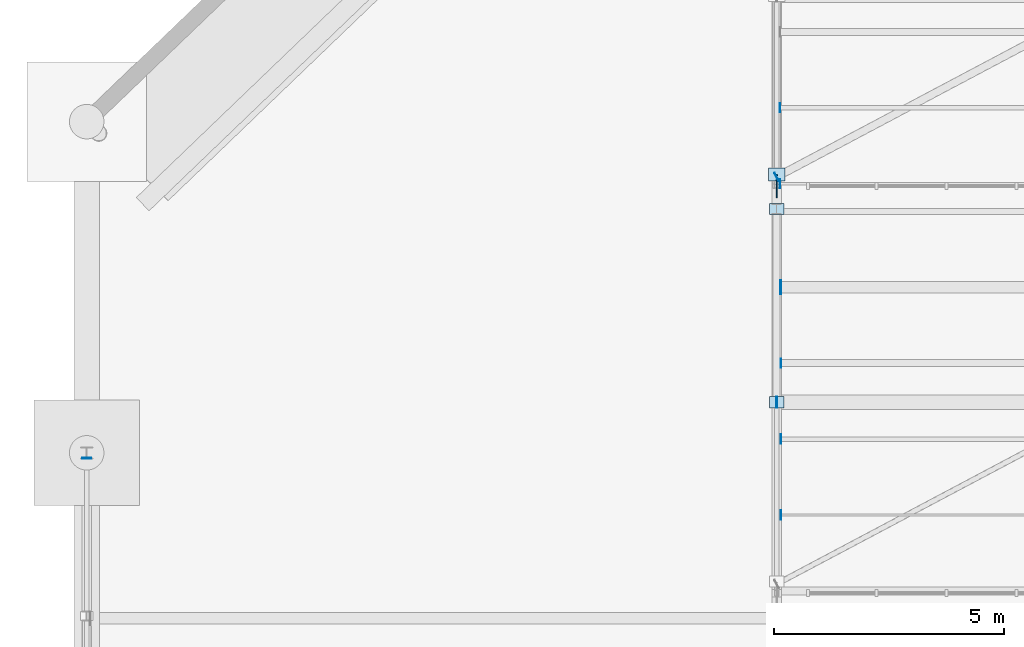
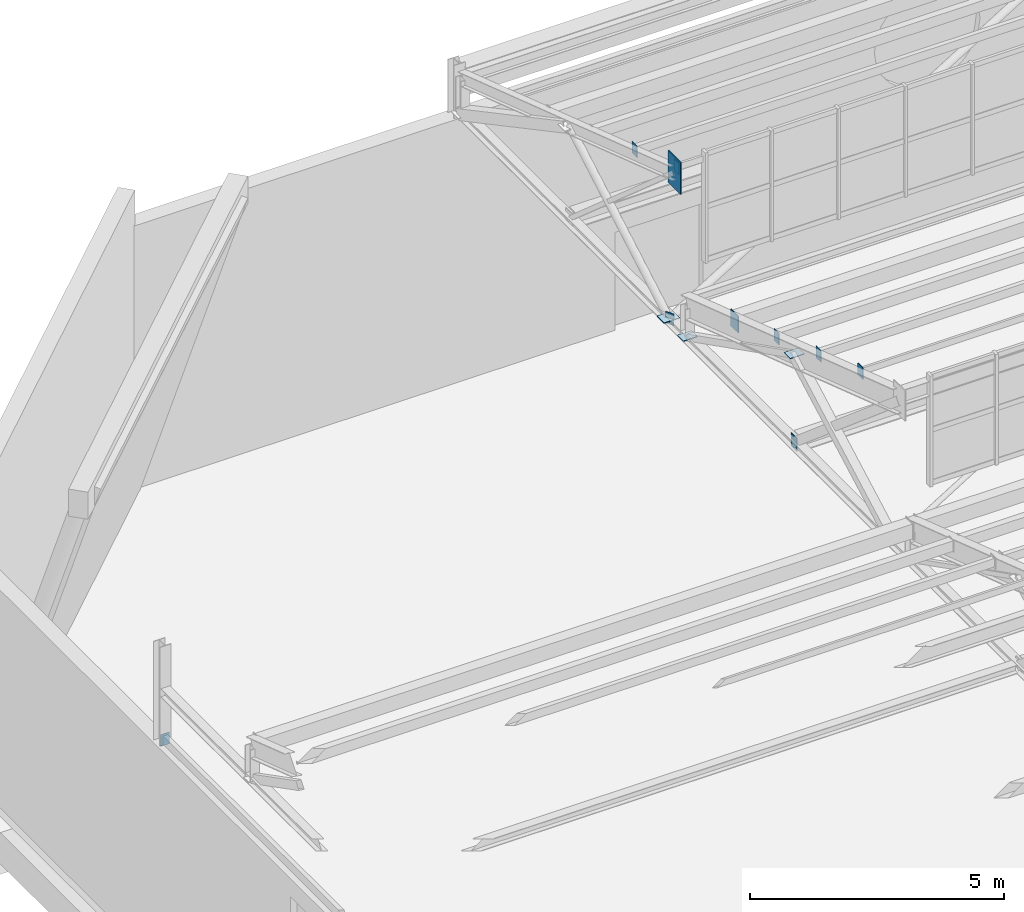
# One storey, part 235 of 285: 13 plates.
"""IFC4 building model written with IfcOpenShell, lengths in metres."""

import ifcopenshell
import ifcopenshell.guid

model = None  # the IFC model being written
_history = None  # IfcOwnerHistory: only IFC2X3 demands one
_inside = {}  # id of a spatial element -> (the spatial element, [elements in it])
_under = {}  # id of a project, library or spatial element -> (it, [spatial elements below it])
_declared = {}  # id of a project -> (the project, [libraries it declares])
_typed = {}  # id of a type object -> (the type object, [elements of that type])
_made_of = {}  # id of a material, layer set ... -> (it, [elements and type objects made of it])


def new_model(schema):
    """Start an empty IFC model of exactly this schema.

    Asked for "IFC4X3", IfcOpenShell would pick the latest addendum, in which some entities
    have other attributes; the version numbers below select the first issue.
    IFC2X3 requires an IfcOwnerHistory on every rooted entity: one is made here for all.
    """
    global model, _history
    if schema == "IFC4X3":
        model = ifcopenshell.file(schema_version=(4, 3, 0, 0))
    else:
        model = ifcopenshell.file(schema=schema)
    _inside.clear()
    _under.clear()
    _declared.clear()
    _typed.clear()
    _made_of.clear()
    _history = None
    if model.schema == "IFC2X3":
        org = make("IfcOrganization", Name="unknown")
        user = make(
            "IfcPersonAndOrganization",
            ThePerson=make("IfcPerson", FamilyName="unknown"),
            TheOrganization=org,
        )
        app = make(
            "IfcApplication",
            ApplicationDeveloper=org,
            Version="unknown",
            ApplicationFullName="unknown",
            ApplicationIdentifier="unknown",
        )
        _history = make(
            "IfcOwnerHistory",
            OwningUser=user,
            OwningApplication=app,
            ChangeAction="ADDED",
            CreationDate=0,
        )
    return model


def make(cls, **values):
    """One entity of the class cls with the attributes given. An attribute that is None is left unset."""
    return model.create_entity(
        cls, **{name: value for name, value in values.items() if value is not None}
    )


def rooted(cls, **values):
    """An entity with a GlobalId (a new one), such as an element, a storey or a relation."""
    return make(cls, GlobalId=ifcopenshell.guid.new(), OwnerHistory=_history, **values)


def si_unit(unit_type, name, prefix=None):
    """IfcSIUnit, for example si_unit("LENGTHUNIT", "METRE", prefix="MILLI")."""
    return make("IfcSIUnit", UnitType=unit_type, Prefix=prefix, Name=name)


def assignment(units):
    """IfcUnitAssignment: the units of a project."""
    return None if units is None else make("IfcUnitAssignment", Units=units)


def point(xyz):
    """IfcCartesianPoint."""
    return None if xyz is None else make("IfcCartesianPoint", Coordinates=xyz)


def direction(xyz):
    """IfcDirection."""
    return None if xyz is None else make("IfcDirection", DirectionRatios=xyz)


def frame(location, z_axis=None, x_axis=None):
    """IfcAxis2Placement3D, a coordinate frame: its origin and axes. An axis left out is left unset."""
    return make(
        "IfcAxis2Placement3D",
        Location=point(location),
        Axis=direction(z_axis),
        RefDirection=direction(x_axis),
    )


def frame_2d(location, x_axis=None):
    """IfcAxis2Placement2D, a coordinate frame in the plane: its origin and x axis."""
    return make(
        "IfcAxis2Placement2D", Location=point(location), RefDirection=direction(x_axis)
    )


def origin():
    """The frame at (0, 0, 0) with its axes left unset."""
    return frame((0.0, 0.0, 0.0))


def origin_2d():
    """The frame at (0, 0) in the plane with its x axis left unset."""
    return frame_2d((0.0, 0.0))


def place(relative_to, where):
    """IfcLocalPlacement: puts the frame where relative to a parent placement (None: the world)."""
    return make(
        "IfcLocalPlacement", PlacementRelTo=relative_to, RelativePlacement=where
    )


def context(
    kind, dimensions, precision=None, world=None, true_north=None, identifier=None
):
    """IfcGeometricRepresentationContext, for example the 3D "Model" context."""
    return make(
        "IfcGeometricRepresentationContext",
        ContextIdentifier=identifier,
        ContextType=kind,
        CoordinateSpaceDimension=dimensions,
        Precision=precision,
        WorldCoordinateSystem=world,
        TrueNorth=true_north,
    )


def subcontext(parent, identifier, kind, view, scale=None):
    """IfcGeometricRepresentationSubContext, for example "Body" below "Model"."""
    return make(
        "IfcGeometricRepresentationSubContext",
        ContextIdentifier=identifier,
        ContextType=kind,
        ParentContext=parent,
        TargetScale=scale,
        TargetView=view,
    )


def project(units=None, contexts=None):
    """IfcProject with its units and contexts."""
    return rooted(
        "IfcProject",
        Name="project",
        RepresentationContexts=contexts,
        UnitsInContext=assignment(units),
    )


def spatial(cls, under=None, at=None, **own):
    """A site, building, storey or space (cls), placed at a placement, below another one or the project."""
    s = rooted(cls, ObjectPlacement=at, **own)
    if under is not None:
        _under.setdefault(under.id(), (under, []))[1].append(s)
    return s


def profile(cls, at=None, kind="AREA", **sizes):
    """A parametric profile (cls). Its sizes go by their IFC names, for example OverallWidth=200.0."""
    return make(cls, ProfileType=kind, Position=at, **sizes)


def rectangle(**sizes):
    """IfcRectangleProfileDef."""
    return profile("IfcRectangleProfileDef", **sizes)


def extrude(swept, where, along, depth):
    """IfcExtrudedAreaSolid: the profile swept, set in the frame where, extruded along a direction by depth."""
    return make(
        "IfcExtrudedAreaSolid",
        SweptArea=swept,
        Position=where,
        ExtrudedDirection=direction(along),
        Depth=depth,
    )


def shape(context_of_items, identifier, shape_type, items):
    """IfcShapeRepresentation: the items that make up one representation, for example the "Body"."""
    return make(
        "IfcShapeRepresentation",
        ContextOfItems=context_of_items,
        RepresentationIdentifier=identifier,
        RepresentationType=shape_type,
        Items=items,
    )


def material(Name=None, Category=None):
    """IfcMaterial."""
    return make("IfcMaterial", Name=Name, Category=Category)


def layer(
    of_material, thickness, ventilated=None, Name=None, Category=None, Priority=None
):
    """IfcMaterialLayer: one layer of a wall or slab, of a material (None: an air gap)."""
    return make(
        "IfcMaterialLayer",
        Material=of_material,
        LayerThickness=thickness,
        IsVentilated=ventilated,
        Name=Name,
        Category=Category,
        Priority=Priority,
    )


def layer_set(layers, Name=None):
    """IfcMaterialLayerSet."""
    return make("IfcMaterialLayerSet", MaterialLayers=layers, LayerSetName=Name)


def made_of(thing, what):
    """Note that an element or type object is made of a material, layer set ...; save() writes the relation."""
    if what is not None:
        _made_of.setdefault(what.id(), (what, []))[1].append(thing)
    return thing


def type_object(cls, material=None, **own):
    """A type object (cls), such as IfcWallType, which elements share."""
    return made_of(rooted(cls, **own), material)


def element(
    cls,
    number,
    at=None,
    inside=None,
    cuts=None,
    type_object=None,
    material=None,
    context=None,
    identifier="Body",
    shape_type=None,
    held_by="IfcProductDefinitionShape",
    body=None,
    shapes=None,
    **own,
):
    """One element of the class cls, such as IfcWall. Its Tag is "e" and its number.

    at: its placement. inside: the storey or other place that contains it. cuts: it is an
    opening in that element (IfcRelVoidsElement). A single representation is given by context,
    identifier, shape_type and body (its items); several are given by shapes. held_by: the class
    of the entity that holds the representations. save() writes the other relations.
    """
    e = rooted(cls, Tag="e%d" % number, ObjectPlacement=at, **own)
    if body is not None:
        shapes = [shape(context, identifier, shape_type, body)]
    if shapes is not None:
        e.Representation = make(held_by, Representations=shapes)
    if inside is not None:
        _inside.setdefault(inside.id(), (inside, []))[1].append(e)
    if cuts is not None:
        rooted(
            "IfcRelVoidsElement", RelatingBuildingElement=cuts, RelatedOpeningElement=e
        )
    if type_object is not None:
        _typed.setdefault(type_object.id(), (type_object, []))[1].append(e)
    return made_of(e, material)


def aggregate(whole, parts):
    """IfcRelAggregates: a whole, such as a stair, and the parts it consists of."""
    return rooted("IfcRelAggregates", RelatingObject=whole, RelatedObjects=parts)


def save(model, path):
    """Write the relations noted so far, then the file.

    IfcRelAggregates (storeys below a building ...), IfcRelContainedInSpatialStructure (elements
    in a storey), IfcRelDefinesByType, IfcRelAssociatesMaterial and IfcRelDeclares: one each for
    every whole, place, type object, material and project.
    """
    for whole, parts in _under.values():
        aggregate(whole, parts)
    for where, things in _inside.values():
        rooted(
            "IfcRelContainedInSpatialStructure",
            RelatedElements=things,
            RelatingStructure=where,
        )
    for kind, things in _typed.values():
        rooted("IfcRelDefinesByType", RelatedObjects=things, RelatingType=kind)
    for what, things in _made_of.values():
        rooted("IfcRelAssociatesMaterial", RelatedObjects=things, RelatingMaterial=what)
    for by, libraries in _declared.values():
        rooted("IfcRelDeclares", RelatingContext=by, RelatedDefinitions=libraries)
    model.write(path)


model = new_model("IFC4")

# Units and contexts
model_context = context("Model", 3, precision=1e-05, world=origin(), true_north=direction((0.0, 1.0)))
body_context = subcontext(model_context, "Body", "Model", "MODEL_VIEW")
ifc_project = project(units=[si_unit("LENGTHUNIT", "METRE"), si_unit("AREAUNIT", "SQUARE_METRE"), si_unit("VOLUMEUNIT", "CUBIC_METRE"), si_unit("PLANEANGLEUNIT", "RADIAN"), si_unit("MASSUNIT", "GRAM", prefix="KILO")], contexts=[model_context])

# Site, building, storey
site_placement = place(None, origin())
site = spatial("IfcSite", under=ifc_project, at=site_placement, CompositionType="ELEMENT")
building_placement = place(site_placement, origin())
building = spatial("IfcBuilding", under=site, at=building_placement, Name="Solanera Park Tramway Depot", CompositionType="ELEMENT")
storey_placement = place(building_placement, origin())
storey = spatial("IfcBuildingStorey", under=building, at=storey_placement, Name="L00", CompositionType="ELEMENT", Elevation=0.0)

# Plates
ifc_material_1 = material(Name="Steel AS/NZS 3679.1 Grade 350", Category="steel")
ifc_layer_1 = layer(ifc_material_1, 0.013916015625)
ifc_layer_set_1 = layer_set([ifc_layer_1], Name="Steel AS/NZS 3679.1 Grade 350")
plate_type_1 = type_object("IfcPlateType", Name="Hollow End Cap and Base Plate 280x200x14", PredefinedType="USERDEFINED", material=ifc_layer_set_1)
for number, where, z_axis, x_axis, name in (
    (1, (0.0, 129.48291015625, 5.2099609375), (0.0, 0.0, 1.0), (0.0, 1.0, 0.0), "Hollow Section Welded End Cap Plate #0069"),
    (2, (15.09375, 128.25, 9.5146484375), (0.0, 0.0, 1.0), (1.0, 0.0, 0.0), "Hollow Section Welded End Cap Plate #0944"),
    (3, (15.09375, 129.89990234375, 8.92919921875), (0.0, 0.0, 1.0), (1.0, 0.0, 0.0), "Hollow Section Welded End Cap Plate #0956"),
    (4, (15.09375, 131.550048828125, 8.34375), (0.0, 0.0, 1.0), (1.0, 0.0, 0.0), "Hollow Section Welded End Cap Plate #0968"),
    (5, (15.072021484375, 135.449951171875, 10.06689453125), (0.0, 0.0, 1.0), (1.0, 0.0, 0.0), "Hollow Section Welded End Cap Plate #1042"),
    (6, (15.072021484375, 137.10009765625, 9.4814453125), (0.0, 0.0, 1.0), (1.0, 0.0, 0.0), "Hollow Section Welded End Cap Plate #1054"),
    (7, (14.999267578125, 135.5986328125, 6.35986328125), (0.0, 0.0, 1.0), (0.883520501477, 0.468392488698, 0.0), "Hollow Section Welded End Cap Plate #1090"),
):
    element("IfcPlate", number, at=place(storey_placement, frame(where, z_axis=z_axis, x_axis=x_axis)), inside=storey, type_object=plate_type_1, Name=name, ObjectType="BASE PLATE", PredefinedType="USERDEFINED", context=body_context, shape_type="SweptSolid", body=[
        extrude(rectangle(XDim=0.013916015625, YDim=0.199951171875, at=origin_2d()), origin(), (0.0, 0.0, 1.0), 0.280029296875),
    ])
ifc_material_2 = material(Name="Steel AS/NZS 3679.1 Grade 350", Category="steel")
ifc_layer_2 = layer(ifc_material_2, 0.01611328125)
ifc_layer_set_2 = layer_set([ifc_layer_2], Name="Steel AS/NZS 3679.1 Grade 350")
plate_type_2 = type_object("IfcPlateType", Name="Hollow End Cap and Base Plate 320x240x16", PredefinedType="USERDEFINED", material=ifc_layer_set_2)
plate_1_placement = place(storey_placement, frame((15.0, 130.699951171875, 6.33984375), z_axis=(0.0, 0.0, 1.0), x_axis=(1.0, 0.0, 0.0)))
element("IfcPlate", 8, at=plate_1_placement, inside=storey, type_object=plate_type_2, Name="Sawtooth Truss Hollow End Cap #0905", ObjectType="BASE PLATE", PredefinedType="USERDEFINED", context=body_context, shape_type="SweptSolid", body=[
    extrude(rectangle(XDim=0.01611328125, YDim=0.239990234375, at=origin_2d()), origin(), (0.0, 0.0, 1.0), 0.320068359375),
])
for number, where, z_axis, x_axis, name in (
    (9, (15.0, 134.89990234375, 6.491943359375), (0.0, 0.0, 1.0), (1.0, 0.0, 0.0), "Sawtooth Truss Node Cap Plate #0906"),
    (10, (15.0, 130.699951171875, 8.62158203125), (0.0, 0.0, 1.0), (1.0, 0.0, 0.0), "Sawtooth Truss Node Cap Plate #0907"),
):
    element("IfcPlate", number, at=place(storey_placement, frame(where, z_axis=z_axis, x_axis=x_axis)), inside=storey, type_object=plate_type_2, Name=name, ObjectType="BASE PLATE", PredefinedType="USERDEFINED", context=body_context, shape_type="SweptSolid", body=[
        extrude(rectangle(XDim=0.320068359375, YDim=0.239990234375, at=origin_2d()), origin(), (0.0, 0.0, 1.0), 0.01611328125),
    ])
ifc_material_3 = material(Name="Steel AS/NZS 3679.1 Grade 350", Category="steel")
ifc_layer_3 = layer(ifc_material_3, 0.01806640625)
ifc_layer_set_3 = layer_set([ifc_layer_3], Name="Steel AS/NZS 3679.1 Grade 350")
plate_type_3 = type_object("IfcPlateType", Name="Hollow End Cap and Base Plate 360x280x18", PredefinedType="USERDEFINED", material=ifc_layer_set_3)
plate_2_placement = place(storey_placement, frame((15.0, 135.64990234375, 6.490966796875), z_axis=(0.0, 0.0, 1.0), x_axis=(1.0, 0.0, 0.0)))
element("IfcPlate", 11, at=plate_2_placement, inside=storey, type_object=plate_type_3, Name="Sawtooth Truss Node Cap Plate #1006", ObjectType="BASE PLATE", PredefinedType="USERDEFINED", context=body_context, shape_type="SweptSolid", body=[
    extrude(rectangle(XDim=0.360107421875, YDim=0.280029296875, at=origin_2d()), origin(), (0.0, 0.0, 1.0), 0.01806640625),
])
ifc_material_4 = material(Name="Steel AS/NZS 3679.1 Grade 350", Category="steel")
ifc_layer_4 = layer(ifc_material_4, 0.02001953125)
ifc_layer_set_4 = layer_set([ifc_layer_4], Name="Steel AS/NZS 3679.1 Grade 350")
plate_type_4 = type_object("IfcPlateType", Name="Hollow End Cap and Base Plate 400x300x20", PredefinedType="USERDEFINED", material=ifc_layer_set_4)
plate_3_placement = place(storey_placement, frame((15.0908203125, 133.199951171875, 7.6650390625), z_axis=(0.0, 0.0, 1.0), x_axis=(1.0, 0.0, 0.0)))
element("IfcPlate", 12, at=plate_3_placement, inside=storey, type_object=plate_type_4, Name="Hollow Section Welded End Cap Plate #0980", ObjectType="BASE PLATE", PredefinedType="USERDEFINED", context=body_context, shape_type="SweptSolid", body=[
    extrude(rectangle(XDim=0.02001953125, YDim=0.300048828125, at=origin_2d()), origin(), (0.0, 0.0, 1.0), 0.39990234375),
])
ifc_material_5 = material(Name="Steel AS/NZS 3679.1 Grade 350", Category="steel")
ifc_layer_5 = layer(ifc_material_5, 0.02587890625)
ifc_layer_set_5 = layer_set([ifc_layer_5], Name="Steel AS/NZS 3679.1 Grade 350")
plate_type_5 = type_object("IfcPlateType", Name="Truss Node Gusset Stiffener 760x500x26", PredefinedType="SHEET", material=ifc_layer_set_5)
plate_4_placement = place(storey_placement, frame((15.0, 135.39990234375, 9.7509765625), z_axis=(0.0, 0.0, 1.0), x_axis=(1.0, 0.0, 0.0)))
element("IfcPlate", 13, at=plate_4_placement, inside=storey, type_object=plate_type_5, Name="Sawtooth Truss Apex Gusset Plate #1002", PredefinedType="SHEET", context=body_context, shape_type="SweptSolid", body=[
    extrude(rectangle(XDim=0.02587890625, YDim=0.5, at=origin_2d()), origin(), (0.0, 0.0, 1.0), 0.760009765625),
])

save(model, "model.ifc")
